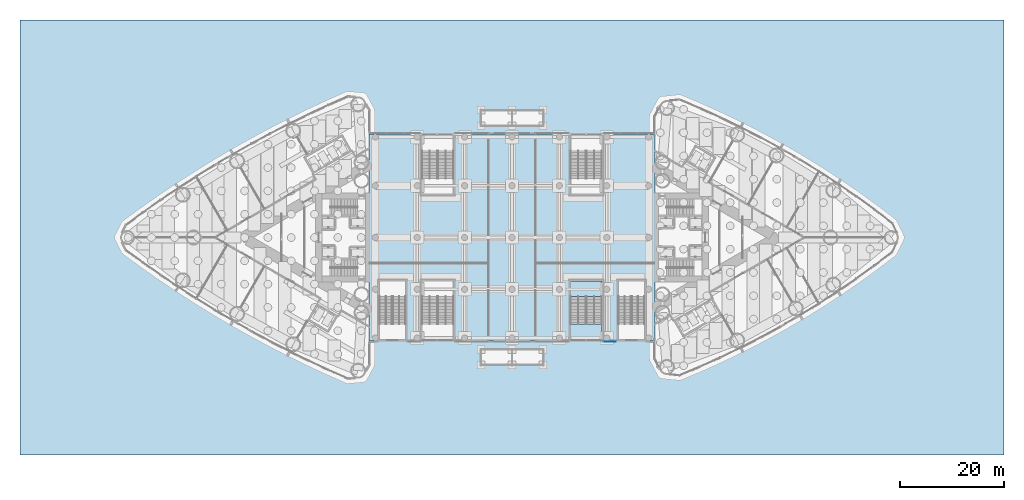
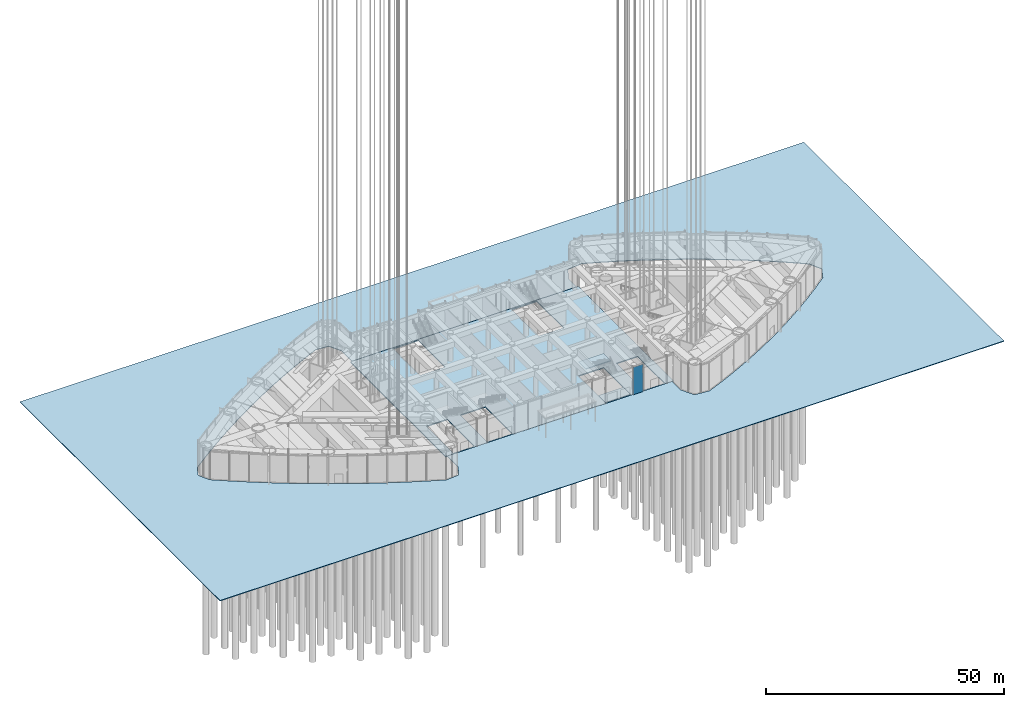
# One storey, part 18 of 43: 4 slabs, 1 plate, 2 elements without a shape of their own.
"""IFC4 building model written with IfcOpenShell, lengths in metres."""

from ifc_helpers import new_model, si_unit, direction, frame, origin, origin_2d, place, context, subcontext, project, spatial, polyline, rectangle, outline, extrude, material, layer, layer_set, type_object, element, aggregate, save


model = new_model("IFC4")

# Units and contexts
model_context = context("Model", 3, precision=1e-05, world=origin(), true_north=direction((0.0, 1.0)))
body_context = subcontext(model_context, "Body", "Model", "MODEL_VIEW")
ifc_project = project(units=[si_unit("LENGTHUNIT", "METRE"), si_unit("AREAUNIT", "SQUARE_METRE"), si_unit("VOLUMEUNIT", "CUBIC_METRE"), si_unit("PLANEANGLEUNIT", "RADIAN"), si_unit("MASSUNIT", "GRAM", prefix="KILO")], contexts=[model_context])

# Site, building, storey
site_placement = place(None, origin())
site = spatial("IfcSite", under=ifc_project, at=site_placement, CompositionType="ELEMENT")
building_placement = place(site_placement, origin())
building = spatial("IfcBuilding", under=site, at=building_placement, Name="Lancet Gate Hotel", CompositionType="ELEMENT")
storey_placement = place(building_placement, origin())
storey = spatial("IfcBuildingStorey", under=building, at=storey_placement, Name="L00", CompositionType="ELEMENT", Elevation=0.0)

# Slab
ifc_material_1 = material(Name="Concrete C40/50", Category="concrete")
ifc_layer_1 = layer(ifc_material_1, 0.25)
ifc_layer_set_1 = layer_set([ifc_layer_1], Name="Ground slab 250")
slab_type_1 = type_object("IfcSlabType", Name="Ground slab 250", PredefinedType="BASESLAB", material=ifc_layer_set_1)
slab_1_placement = place(storey_placement, frame((0.0, 0.0, -0.25)))
element("IfcSlab", 1, at=slab_1_placement, inside=storey, type_object=slab_type_1, Name="Podium L00 floor slab", PredefinedType="BASESLAB", context=body_context, shape_type="SweptSolid", body=[
    extrude(outline(polyline([(27.6201171875, 20.0), (-27.6201171875, 20.0), (-27.6201171875, -20.0), (27.6201171875, -20.0), (27.6201171875, 20.0)]), holes=[polyline([(-25.60009765625, -19.699951171875), (-20.5, -19.699951171875), (-20.5, -8.3798828125), (-25.60009765625, -8.3798828125), (-25.60009765625, -19.699951171875)]), polyline([(-17.39990234375, -8.3798828125), (-17.39990234375, -19.699951171875), (-11.300048828125, -19.699951171875), (-11.300048828125, -8.3798828125), (-17.39990234375, -8.3798828125)]), polyline([(11.300048828125, -8.3798828125), (11.300048828125, -19.699951171875), (17.39990234375, -19.699951171875), (17.39990234375, -8.3798828125), (11.300048828125, -8.3798828125)]), polyline([(20.5, -19.699951171875), (25.60009765625, -19.699951171875), (25.60009765625, -8.3798828125), (20.5, -8.3798828125), (20.5, -19.699951171875)]), polyline([(-17.39990234375, 19.699951171875), (-17.39990234375, 8.3798828125), (-11.300048828125, 8.3798828125), (-11.300048828125, 19.699951171875), (-17.39990234375, 19.699951171875)]), polyline([(11.300048828125, 19.699951171875), (11.300048828125, 8.3798828125), (17.39990234375, 8.3798828125), (17.39990234375, 19.699951171875), (11.300048828125, 19.699951171875)])]), origin(), (0.0, 0.0, 1.0), 0.25),
])

# Curtain wall, plate
ifc_material_2 = material(Name="Aluminium curtain wall", Category="aluminium")
curtain_wall_type = type_object("IfcCurtainWallType", Name="Podium curtain wall", PredefinedType="USERDEFINED", material=ifc_material_2)
curtain_wall_placement = place(storey_placement, origin())
curtain_wall = element("IfcCurtainWall", 2, at=curtain_wall_placement, inside=storey, type_object=curtain_wall_type, Name="Podium L00 curtain wall S5", ObjectType="UNITISED CURTAIN WALL", PredefinedType="USERDEFINED")
ifc_material_3 = material(Name="Glass double glazed unit 10-16-10", Category="glass")
ifc_layer_2 = layer(ifc_material_3, 0.035888671875)
ifc_layer_set_2 = layer_set([ifc_layer_2], Name="Podium vision panel")
plate_type = type_object("IfcPlateType", Name="Podium vision panel", PredefinedType="CURTAIN_PANEL", material=ifc_layer_set_2)
plate_placement = place(storey_placement, frame((18.949951171875, -20.1201171875, 0.0), z_axis=(0.0, 0.0, 1.0), x_axis=(1.0, 0.0, 0.0)))
plate = element("IfcPlate", 3, at=plate_placement, type_object=plate_type, Name="Podium L00 curtain wall S5 panel 1", PredefinedType="CURTAIN_PANEL", context=body_context, shape_type="SweptSolid", body=[
    extrude(rectangle(XDim=2.43505859375, YDim=0.035888671875, at=origin_2d()), origin(), (0.0, 0.0, 1.0), 7.050048828125),
])
aggregate(curtain_wall, [plate])

# Stair, slabs
ifc_material_4 = material(Name="Podium stair 40 risers 3000")
stair_type = type_object("IfcStairType", Name="Podium stair 40 risers 3000", PredefinedType="HALF_TURN_STAIR", material=ifc_material_4)
stair_placement = place(storey_placement, origin())
stair = element("IfcStair", 4, at=stair_placement, inside=storey, type_object=stair_type, Name="Podium stair PS1 L00", PredefinedType="HALF_TURN_STAIR")
ifc_material_5 = material(Name="Concrete C40/50", Category="concrete")
ifc_layer_3 = layer(ifc_material_5, 0.199951171875)
ifc_layer_set_3 = layer_set([ifc_layer_3], Name="Stair landing 200")
slab_type_2 = type_object("IfcSlabType", Name="Stair landing 200", PredefinedType="LANDING", material=ifc_layer_set_3)
slab_2_placement = place(storey_placement, frame((0.0, 0.0, -0.199951171875)))
slab_2 = element("IfcSlab", 5, at=slab_2_placement, type_object=slab_type_2, Name="PS1 landing 1", PredefinedType="LANDING", context=body_context, shape_type="SweptSolid", body=[
    extrude(outline(polyline([(11.300048828125, -19.699951171875), (17.39990234375, -19.699951171875), (17.39990234375, -16.699951171875), (11.300048828125, -16.699951171875), (11.300048828125, -19.699951171875)])), origin(), (0.0, 0.0, 1.0), 0.199951171875),
])
slab_3_placement = place(storey_placement, frame((0.0, 0.0, 3.39990234375)))
slab_3 = element("IfcSlab", 6, at=slab_3_placement, type_object=slab_type_2, Name="PS1 landing 2", PredefinedType="LANDING", context=body_context, shape_type="SweptSolid", body=[
    extrude(outline(polyline([(11.300048828125, -11.3798828125), (17.39990234375, -11.3798828125), (17.39990234375, -8.3798828125), (11.300048828125, -8.3798828125), (11.300048828125, -11.3798828125)])), origin(), (0.0, 0.0, 1.0), 0.2001953125),
])
aggregate(stair, [slab_2, slab_3])

# Slab
ifc_material_6 = material(Name="Granite paving", Category="masonry")
ifc_layer_4 = layer(ifc_material_6, 0.14990234375)
ifc_layer_set_4 = layer_set([ifc_layer_4], Name="Street paving 150")
slab_type_3 = type_object("IfcSlabType", Name="Street paving 150", PredefinedType="USERDEFINED", material=ifc_layer_set_4)
slab_4_placement = place(storey_placement, frame((0.0, 0.0, -0.14990234375)))
element("IfcSlab", 7, at=slab_4_placement, inside=storey, type_object=slab_type_3, Name="Street paving 1", ObjectType="PAVING", PredefinedType="USERDEFINED", context=body_context, shape_type="SweptSolid", body=[
    extrude(outline(polyline([(-95.0, -42.0), (95.0, -42.0), (95.0, 42.0), (-95.0, 42.0), (-95.0, -42.0)]), holes=[polyline([(27.251220703125, -23.4091796875), (27.2548828125, -23.433349609375), (27.2607421875, -23.45703125), (27.268798828125, -23.480224609375), (27.279296875, -23.502197265625), (28.824951171875, -26.40576171875), (28.83740234375, -26.4267578125), (28.85205078125, -26.446533203125), (28.868408203125, -26.464599609375), (28.886474609375, -26.481201171875), (28.906005859375, -26.49560546875), (28.927001953125, -26.50830078125), (28.948974609375, -26.518798828125), (28.971923828125, -26.52734375), (28.99560546875, -26.533203125), (29.019775390625, -26.537109375), (32.29150390625, -26.8759765625), (32.316650390625, -26.87744140625), (32.341796875, -26.876220703125), (32.366455078125, -26.87255859375), (32.390869140625, -26.866455078125), (32.414306640625, -26.85791015625), (36.412109375, -25.174072265625), (36.41796875, -25.171630859375), (40.371337890625, -23.38671875), (40.377197265625, -23.384033203125), (44.283935546875, -21.4990234375), (44.28955078125, -21.49609375), (48.147216796875, -19.512451171875), (48.15283203125, -19.50927734375), (51.95849609375, -17.427978515625), (51.964111328125, -17.4248046875), (55.7158203125, -15.247314453125), (55.72119140625, -15.244140625), (59.416015625, -12.971923828125), (59.42138671875, -12.968505859375), (63.057373046875, -10.602783203125), (63.062744140625, -10.599365234375), (66.63720703125, -8.141845703125), (66.642333984375, -8.13818359375), (70.1533203125, -5.590576171875), (70.158447265625, -5.5869140625), (73.603271484375, -2.950927734375), (73.62109375, -2.935791015625), (73.637451171875, -2.919189453125), (73.652099609375, -2.9013671875), (73.6650390625, -2.882080078125), (73.67626953125, -2.861572265625), (75.013916015625, -0.109375), (75.02392578125, -0.086181640625), (75.03125, -0.062255859375), (75.036376953125, -0.03759765625), (75.038818359375, -0.012451171875), (75.038818359375, 0.012451171875), (75.036376953125, 0.03759765625), (75.03125, 0.062255859375), (75.02392578125, 0.086181640625), (75.013916015625, 0.109375), (73.67626953125, 2.861572265625), (73.6650390625, 2.882080078125), (73.652099609375, 2.9013671875), (73.637451171875, 2.919189453125), (73.62109375, 2.935791015625), (73.603271484375, 2.950927734375), (70.158447265625, 5.5869140625), (70.1533203125, 5.590576171875), (66.642333984375, 8.13818359375), (66.63720703125, 8.141845703125), (63.062744140625, 10.599365234375), (63.057373046875, 10.602783203125), (59.42138671875, 12.968505859375), (59.416015625, 12.971923828125), (55.72119140625, 15.244140625), (55.7158203125, 15.247314453125), (51.964111328125, 17.4248046875), (51.95849609375, 17.427978515625), (48.15283203125, 19.50927734375), (48.147216796875, 19.512451171875), (44.28955078125, 21.49609375), (44.283935546875, 21.4990234375), (40.377197265625, 23.384033203125), (40.371337890625, 23.38671875), (36.41796875, 25.171630859375), (36.412109375, 25.174072265625), (32.414306640625, 26.85791015625), (32.390869140625, 26.866455078125), (32.366455078125, 26.87255859375), (32.341796875, 26.876220703125), (32.316650390625, 26.87744140625), (32.29150390625, 26.8759765625), (29.019775390625, 26.537109375), (28.99560546875, 26.533203125), (28.971923828125, 26.52734375), (28.948974609375, 26.518798828125), (28.927001953125, 26.50830078125), (28.906005859375, 26.49560546875), (28.886474609375, 26.481201171875), (28.868408203125, 26.464599609375), (28.85205078125, 26.446533203125), (28.83740234375, 26.4267578125), (28.824951171875, 26.40576171875), (27.279296875, 23.502197265625), (27.268798828125, 23.480224609375), (27.2607421875, 23.45703125), (27.2548828125, 23.433349609375), (27.251220703125, 23.4091796875), (27.25, 23.384765625), (27.25, 20.0), (-27.25, 20.0), (-27.25, 24.4912109375), (-27.251220703125, 24.515869140625), (-27.2548828125, 24.540283203125), (-27.260986328125, 24.564208984375), (-27.269287109375, 24.587646484375), (-27.280029296875, 24.60986328125), (-28.631591796875, 27.116455078125), (-28.644287109375, 27.1376953125), (-28.6591796875, 27.157470703125), (-28.676025390625, 27.175537109375), (-28.6943359375, 27.192138671875), (-28.71435546875, 27.20654296875), (-28.735595703125, 27.21923828125), (-28.758056640625, 27.2294921875), (-28.78125, 27.23779296875), (-28.805419921875, 27.243408203125), (-28.829833984375, 27.246826171875), (-31.666748046875, 27.49462890625), (-31.692138671875, 27.49560546875), (-31.71728515625, 27.494140625), (-31.7421875, 27.489990234375), (-31.766357421875, 27.483154296875), (-31.7900390625, 27.47412109375), (-35.5751953125, 25.796630859375), (-35.57958984375, 25.794677734375), (-39.3310546875, 24.043212890625), (-39.33544921875, 24.041015625), (-43.052001953125, 22.216552734375), (-43.056396484375, 22.21435546875), (-46.736572265625, 20.317138671875), (-46.74072265625, 20.31494140625), (-50.383056640625, 18.345947265625), (-50.38720703125, 18.343505859375), (-53.990234375, 16.3037109375), (-53.994384765625, 16.30126953125), (-57.556640625, 14.191162109375), (-57.560791015625, 14.188720703125), (-61.0810546875, 12.009033203125), (-61.085205078125, 12.006591796875), (-64.56201171875, 9.758544921875), (-64.56591796875, 9.755859375), (-67.998046875, 7.43994140625), (-68.002197265625, 7.437255859375), (-71.38818359375, 5.0546875), (-71.39208984375, 5.0517578125), (-74.730712890625, 2.603271484375), (-74.749267578125, 2.58837890625), (-74.76611328125, 2.57177734375), (-74.781494140625, 2.5537109375), (-74.794921875, 2.5341796875), (-74.806396484375, 2.513671875), (-76.0087890625, 0.11181640625), (-76.01904296875, 0.08837890625), (-76.02685546875, 0.063720703125), (-76.0322265625, 0.03857421875), (-76.034912109375, 0.012939453125), (-76.034912109375, -0.012939453125), (-76.0322265625, -0.03857421875), (-76.02685546875, -0.063720703125), (-76.01904296875, -0.08837890625), (-76.0087890625, -0.11181640625), (-74.806396484375, -2.513671875), (-74.794921875, -2.5341796875), (-74.781494140625, -2.5537109375), (-74.76611328125, -2.57177734375), (-74.749267578125, -2.58837890625), (-74.730712890625, -2.603271484375), (-71.39208984375, -5.0517578125), (-71.38818359375, -5.0546875), (-68.002197265625, -7.437255859375), (-67.998046875, -7.43994140625), (-64.56591796875, -9.755859375), (-64.56201171875, -9.758544921875), (-61.085205078125, -12.006591796875), (-61.0810546875, -12.009033203125), (-57.560791015625, -14.188720703125), (-57.556640625, -14.191162109375), (-53.994384765625, -16.30126953125), (-53.990234375, -16.3037109375), (-50.38720703125, -18.343505859375), (-50.383056640625, -18.345947265625), (-46.74072265625, -20.31494140625), (-46.736572265625, -20.317138671875), (-43.056396484375, -22.21435546875), (-43.052001953125, -22.216552734375), (-39.33544921875, -24.041015625), (-39.3310546875, -24.043212890625), (-35.57958984375, -25.794677734375), (-35.5751953125, -25.796630859375), (-31.7900390625, -27.47412109375), (-31.766357421875, -27.483154296875), (-31.7421875, -27.489990234375), (-31.71728515625, -27.494140625), (-31.692138671875, -27.49560546875), (-31.666748046875, -27.49462890625), (-28.829833984375, -27.246826171875), (-28.805419921875, -27.243408203125), (-28.78125, -27.23779296875), (-28.758056640625, -27.2294921875), (-28.735595703125, -27.21923828125), (-28.71435546875, -27.20654296875), (-28.6943359375, -27.192138671875), (-28.676025390625, -27.175537109375), (-28.6591796875, -27.157470703125), (-28.644287109375, -27.1376953125), (-28.631591796875, -27.116455078125), (-27.280029296875, -24.60986328125), (-27.269287109375, -24.587646484375), (-27.260986328125, -24.564208984375), (-27.2548828125, -24.540283203125), (-27.251220703125, -24.515869140625), (-27.25, -24.4912109375), (-27.25, -20.0), (27.25, -20.0), (27.25, -23.384765625), (27.251220703125, -23.4091796875)])]), origin(), (0.0, 0.0, 1.0), 0.14990234375),
])

save(model, "model.ifc")
